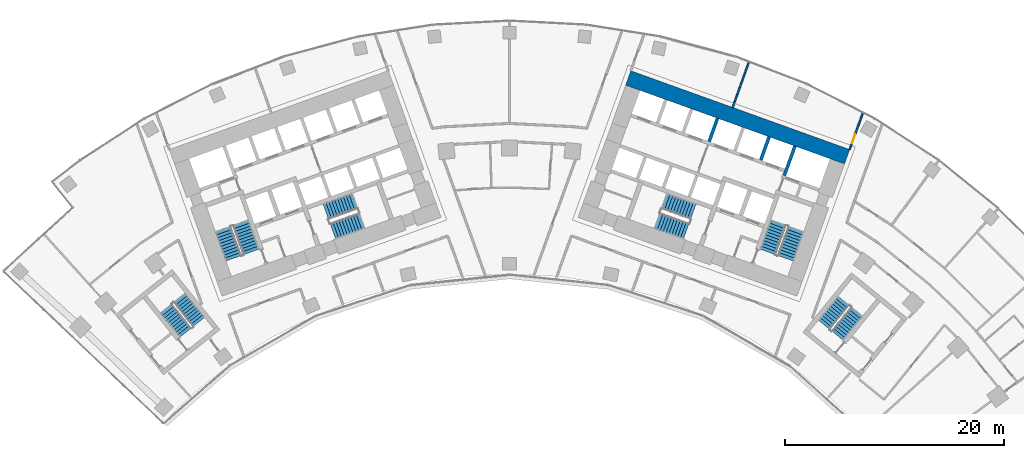
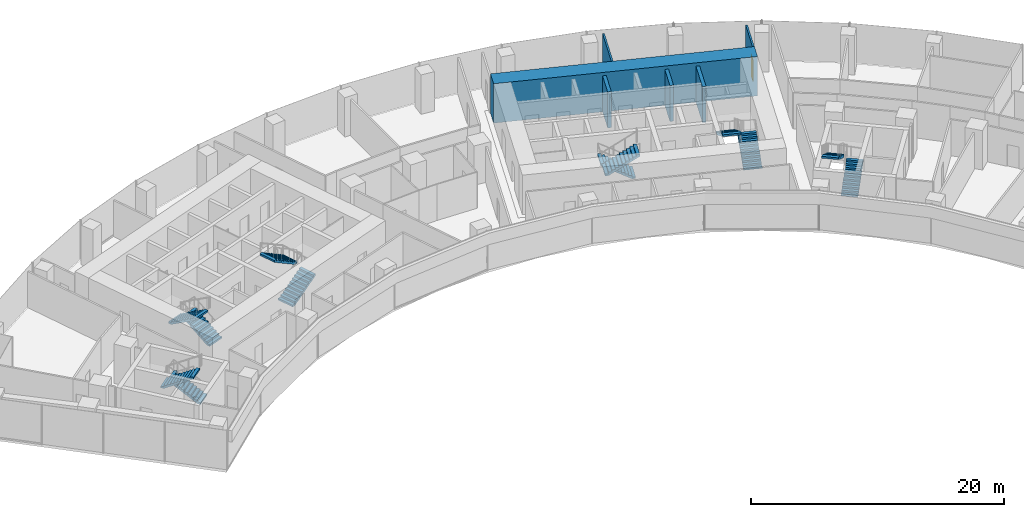
# One storey, part 17 of 19: 12 stair flights, 6 walls, 1 door, 1 opening, 6 elements without a shape of their own.
"""IFC4 building model written with IfcOpenShell, lengths in metres."""

from ifc_helpers import new_model, si_unit, direction, frame, frame_2d, origin, place, context, subcontext, project, spatial, polyline, rectangle, outline, extrude, material, layer, layer_set, type_object, element, fill, aggregate, save


model = new_model("IFC4")

# Units and contexts
model_context = context("Model", 3, precision=1e-05, world=origin(), true_north=direction((0.0, 1.0)))
body_context = subcontext(model_context, "Body", "Model", "MODEL_VIEW")
ifc_project = project(units=[si_unit("LENGTHUNIT", "METRE"), si_unit("AREAUNIT", "SQUARE_METRE"), si_unit("VOLUMEUNIT", "CUBIC_METRE"), si_unit("PLANEANGLEUNIT", "RADIAN"), si_unit("MASSUNIT", "GRAM", prefix="KILO")], contexts=[model_context])

# Site, building, storey
site_placement = place(None, origin())
site = spatial("IfcSite", under=ifc_project, at=site_placement, CompositionType="ELEMENT")
building_placement = place(site_placement, origin())
building = spatial("IfcBuilding", under=site, at=building_placement, Name="Stone Belt Terrace Tower", CompositionType="ELEMENT")
storey_placement = place(building_placement, frame((0.0, 0.0, 128.800048828125)))
storey = spatial("IfcBuildingStorey", under=building, at=storey_placement, Name="L31", CompositionType="ELEMENT", Elevation=128.800048828125)

# Walls
ifc_material_1 = material(Name="Concrete B80", Category="concrete")
ifc_layer_1 = layer(ifc_material_1, 1.39990234375)
ifc_layer_set_1 = layer_set([ifc_layer_1], Name="Core wall 1400 B80")
wall_type_1 = type_object("IfcWallType", Name="Core wall 1400 B80", PredefinedType="SHEAR", material=ifc_layer_set_1)
wall_1_placement = place(storey_placement, frame((10.81787109375, 61.362060546875, 0.0), z_axis=(0.0, 0.0, 1.0), x_axis=(0.940919704758, -0.338629752382, 0.0)))
element("IfcWall", 1, at=wall_1_placement, inside=storey, type_object=wall_type_1, Name="Core B wall convex L31", PredefinedType="SHEAR", context=body_context, shape_type="SweptSolid", body=[
    extrude(rectangle(XDim=21.199951171875, YDim=1.39990234375, at=frame_2d((10.60009765625, 0.0))), origin(), (0.0, 0.0, 1.0), 3.800048828125),
])
ifc_layer_2 = layer(ifc_material_1, 0.300048828125)
ifc_layer_set_2 = layer_set([ifc_layer_2], Name="Lift shaft wall 300")
wall_type_2 = type_object("IfcWallType", Name="Lift shaft wall 300", PredefinedType="SHEAR", material=ifc_layer_set_2)
wall_2_placement = place(storey_placement, frame((25.046875, 52.46826171875, 0.0), z_axis=(0.0, 0.0, 1.0), x_axis=(0.338549588058, 0.940948551423, 0.0)))
element("IfcWall", 2, at=wall_2_placement, inside=storey, type_object=wall_type_2, Name="Core B wall", PredefinedType="SHEAR", context=body_context, shape_type="SweptSolid", body=[
    extrude(rectangle(XDim=2.849853515625, YDim=0.300048828125, at=frame_2d((1.4248046875, 0.0))), origin(), (0.0, 0.0, 1.0), 3.47998046875),
])
for number, where, z_axis, x_axis, name in (
    (3, (22.897705078125, 53.87939453125, 0.0), (0.0, 0.0, 1.0), (0.338535034312, 0.940953787677, 0.0), "Core B wall"),
    (4, (18.193115234375, 55.572509765625, 0.0), (0.0, 0.0, 1.0), (0.338535034312, 0.940953787677, 0.0), "Core B wall"),
):
    element("IfcWall", number, at=place(storey_placement, frame(where, z_axis=z_axis, x_axis=x_axis)), inside=storey, type_object=wall_type_2, Name=name, PredefinedType="SHEAR", context=body_context, shape_type="SweptSolid", body=[
        extrude(rectangle(XDim=2.25, YDim=0.300048828125, at=frame_2d((1.125, 0.0))), origin(), (0.0, 0.0, 1.0), 3.47998046875),
    ])

# Wall, opening, door
ifc_material_2 = material(Name="Gypsum board partition")
ifc_layer_3 = layer(ifc_material_2, 0.14990234375)
ifc_layer_set_3 = layer_set([ifc_layer_3], Name="PARTITION 150 EI 60")
wall_type_3 = type_object("IfcWallType", Name="PARTITION 150 EI 60", PredefinedType="PARTITIONING", material=ifc_layer_set_3)
wall_3_placement = place(storey_placement, frame((31.001953125, 54.842041015625, 0.0), z_axis=(0.0, 0.0, 1.0), x_axis=(0.338662585219, 0.940907887826, 0.0)))
wall_3 = element("IfcWall", 5, at=wall_3_placement, inside=storey, type_object=wall_type_3, Name="L31/wall/i023", PredefinedType="PARTITIONING", context=body_context, shape_type="SweptSolid", body=[
    extrude(rectangle(XDim=3.49560546875, YDim=0.14990234375, at=frame_2d((1.747802734375, 0.0))), origin(), (0.0, 0.0, 1.0), 3.47998046875),
])
opening_placement = place(wall_3_placement, frame((0.599365234375, 0.0, 0.0)))
opening = element("IfcOpeningElement", 6, at=opening_placement, cuts=wall_3, Name="Opening D-B5-11", PredefinedType="OPENING", context=body_context, shape_type="SweptSolid", body=[
    extrude(rectangle(XDim=0.89990234375, YDim=2.10009765625, at=frame_2d((0.449951171875, 1.050048828125))), frame((0.0, 0.0849609375, 0.0), z_axis=(0.0, -1.0, 0.0), x_axis=(1.0, 0.0, 0.0)), (0.0, 0.0, 1.0), 0.169921875),
])
ifc_material_3 = material(Name="Timber door leaf", Category="wood")
door_type = type_object("IfcDoorType", Name="OFFICE DOOR 900 X 2100", OperationType="NOTDEFINED", PredefinedType="DOOR", material=ifc_material_3)
door_placement = place(opening_placement, origin())
door = element("IfcDoor", 7, at=door_placement, inside=storey, type_object=door_type, Name="L31/door/i11", OperationType="SINGLE_SWING_LEFT", OverallHeight=2.10009765625, OverallWidth=0.89990234375, PredefinedType="DOOR", context=body_context, shape_type="SweptSolid", body=[
    extrude(rectangle(XDim=0.89990234375, YDim=2.10009765625, at=frame_2d((0.449951171875, 1.050048828125))), frame((0.0, 0.02490234375, 0.0), z_axis=(0.0, -1.0, 0.0), x_axis=(1.0, 0.0, 0.0)), (0.0, 0.0, 1.0), 0.050048828125),
])
fill(opening, door)

# Wall
wall_4_placement = place(storey_placement, frame((21.80078125, 62.76513671875, 0.0), z_axis=(0.0, 0.0, 1.0), x_axis=(-0.338470422653, -0.940977031063, 0.0)))
element("IfcWall", 8, at=wall_4_placement, inside=storey, type_object=wall_type_3, Name="L31/wall/i035", PredefinedType="PARTITIONING", context=body_context, shape_type="SweptSolid", body=[
    extrude(rectangle(XDim=4.33935546875, YDim=0.14990234375, at=frame_2d((2.169677734375, 0.0))), origin(), (0.0, 0.0, 1.0), 3.47998046875),
])

# Stair, stair flights
ifc_material_4 = material(Name="Concrete B40", Category="concrete")
stair_type = type_object("IfcStairType", Name="Exit stair 1500", PredefinedType="HALF_TURN_STAIR", material=ifc_material_4)
stair_1_placement = place(storey_placement, origin())
stair_1 = element("IfcStair", 9, at=stair_1_placement, inside=storey, type_object=stair_type, Name="L31 Exit stair 1 core A", PredefinedType="HALF_TURN_STAIR")
stair_flight_type = type_object("IfcStairFlightType", Name="Stair flight 1500", PredefinedType="STRAIGHT", material=ifc_material_4)
stair_flight_1_placement = place(storey_placement, frame((-23.55322265625, 45.51318359375, 0.0), z_axis=(0.0, 0.0, 1.0), x_axis=(-0.338624396177, 0.940921632398, 0.0)))
stair_flight_1 = element("IfcStairFlight", 10, at=stair_flight_1_placement, type_object=stair_flight_type, Name="ST1A flight 1", NumberOfRisers=11, NumberOfTreads=10, PredefinedType="STRAIGHT", RiserHeight=0.172727273, TreadLength=0.28, context=body_context, shape_type="SweptSolid", body=[
    extrude(outline(polyline([(0.0, 0.0), (0.0, 0.172607421875), (0.280029296875, 0.172607421875), (0.280029296875, 0.345458984375), (0.56005859375, 0.345458984375), (0.56005859375, 0.51806640625), (0.840087890625, 0.51806640625), (0.840087890625, 0.69091796875), (1.1201171875, 0.69091796875), (1.1201171875, 0.863525390625), (1.39990234375, 0.863525390625), (1.39990234375, 1.036376953125), (1.679931640625, 1.036376953125), (1.679931640625, 1.208984375), (1.9599609375, 1.208984375), (1.9599609375, 1.3818359375), (2.239990234375, 1.3818359375), (2.239990234375, 1.554443359375), (2.52001953125, 1.554443359375), (2.52001953125, 1.727294921875), (2.800048828125, 1.727294921875), (2.800048828125, 1.89990234375), (2.800048828125, 1.551025390625), (0.285400390625, 0.0), (0.0, 0.0)])), frame((0.0, 0.75, 0.0), z_axis=(0.0, -1.0, 0.0), x_axis=(1.0, 0.0, 0.0)), (0.0, 0.0, 1.0), 1.5),
])
stair_flight_2_placement = place(storey_placement, frame((-26.10107421875, 47.572021484375, 1.89990234375), z_axis=(0.0, 0.0, 1.0), x_axis=(0.338624396177, -0.940921632398, 0.0)))
stair_flight_2 = element("IfcStairFlight", 11, at=stair_flight_2_placement, type_object=stair_flight_type, Name="ST1A flight 2", NumberOfRisers=11, NumberOfTreads=10, PredefinedType="STRAIGHT", RiserHeight=0.172727273, TreadLength=0.28, context=body_context, shape_type="SweptSolid", body=[
    extrude(outline(polyline([(0.0, 0.0), (0.0, 0.172607421875), (0.280029296875, 0.172607421875), (0.280029296875, 0.345458984375), (0.56005859375, 0.345458984375), (0.56005859375, 0.51806640625), (0.840087890625, 0.51806640625), (0.840087890625, 0.69091796875), (1.1201171875, 0.69091796875), (1.1201171875, 0.863525390625), (1.39990234375, 0.863525390625), (1.39990234375, 1.036376953125), (1.679931640625, 1.036376953125), (1.679931640625, 1.208984375), (1.9599609375, 1.208984375), (1.9599609375, 1.3818359375), (2.239990234375, 1.3818359375), (2.239990234375, 1.554443359375), (2.52001953125, 1.554443359375), (2.52001953125, 1.727294921875), (2.800048828125, 1.727294921875), (2.800048828125, 1.89990234375), (2.800048828125, 1.551025390625), (0.285400390625, 0.0), (0.0, 0.0)])), frame((0.0, 0.75, 0.0), z_axis=(0.0, -1.0, 0.0), x_axis=(1.0, 0.0, 0.0)), (0.0, 0.0, 1.0), 1.5),
])
aggregate(stair_1, [stair_flight_1, stair_flight_2])

stair_2_placement = place(storey_placement, origin())
stair_2 = element("IfcStair", 12, at=stair_2_placement, inside=storey, type_object=stair_type, Name="L31 Exit stair 2 core A", PredefinedType="HALF_TURN_STAIR")
stair_flight_3_placement = place(storey_placement, frame((-16.101318359375, 47.39794921875, 0.0), z_axis=(0.0, 0.0, 1.0), x_axis=(0.940921632398, 0.338624396177, 0.0)))
stair_flight_3 = element("IfcStairFlight", 13, at=stair_flight_3_placement, type_object=stair_flight_type, Name="ST2A flight 1", NumberOfRisers=11, NumberOfTreads=10, PredefinedType="STRAIGHT", RiserHeight=0.172727273, TreadLength=0.28, context=body_context, shape_type="SweptSolid", body=[
    extrude(outline(polyline([(0.0, 0.0), (0.0, 0.172607421875), (0.280029296875, 0.172607421875), (0.280029296875, 0.345458984375), (0.56005859375, 0.345458984375), (0.56005859375, 0.51806640625), (0.840087890625, 0.51806640625), (0.840087890625, 0.69091796875), (1.1201171875, 0.69091796875), (1.1201171875, 0.863525390625), (1.39990234375, 0.863525390625), (1.39990234375, 1.036376953125), (1.679931640625, 1.036376953125), (1.679931640625, 1.208984375), (1.9599609375, 1.208984375), (1.9599609375, 1.3818359375), (2.239990234375, 1.3818359375), (2.239990234375, 1.554443359375), (2.52001953125, 1.554443359375), (2.52001953125, 1.727294921875), (2.800048828125, 1.727294921875), (2.800048828125, 1.89990234375), (2.800048828125, 1.551025390625), (0.285400390625, 0.0), (0.0, 0.0)])), frame((0.0, 0.75, 0.0), z_axis=(0.0, -1.0, 0.0), x_axis=(1.0, 0.0, 0.0)), (0.0, 0.0, 1.0), 1.5),
])
stair_flight_4_placement = place(storey_placement, frame((-14.110107421875, 50.1337890625, 1.89990234375), z_axis=(0.0, 0.0, 1.0), x_axis=(-0.940921632398, -0.338624396177, 0.0)))
stair_flight_4 = element("IfcStairFlight", 14, at=stair_flight_4_placement, type_object=stair_flight_type, Name="ST2A flight 2", NumberOfRisers=11, NumberOfTreads=10, PredefinedType="STRAIGHT", RiserHeight=0.172727273, TreadLength=0.28, context=body_context, shape_type="SweptSolid", body=[
    extrude(outline(polyline([(0.0, 0.0), (0.0, 0.172607421875), (0.280029296875, 0.172607421875), (0.280029296875, 0.345458984375), (0.56005859375, 0.345458984375), (0.56005859375, 0.51806640625), (0.840087890625, 0.51806640625), (0.840087890625, 0.69091796875), (1.1201171875, 0.69091796875), (1.1201171875, 0.863525390625), (1.39990234375, 0.863525390625), (1.39990234375, 1.036376953125), (1.679931640625, 1.036376953125), (1.679931640625, 1.208984375), (1.9599609375, 1.208984375), (1.9599609375, 1.3818359375), (2.239990234375, 1.3818359375), (2.239990234375, 1.554443359375), (2.52001953125, 1.554443359375), (2.52001953125, 1.727294921875), (2.800048828125, 1.727294921875), (2.800048828125, 1.89990234375), (2.800048828125, 1.551025390625), (0.285400390625, 0.0), (0.0, 0.0)])), frame((0.0, 0.75, 0.0), z_axis=(0.0, -1.0, 0.0), x_axis=(1.0, 0.0, 0.0)), (0.0, 0.0, 1.0), 1.5),
])
aggregate(stair_2, [stair_flight_3, stair_flight_4])

stair_3_placement = place(storey_placement, origin())
stair_3 = element("IfcStair", 15, at=stair_3_placement, inside=storey, type_object=stair_type, Name="L31 Exit stair 1 core B", PredefinedType="HALF_TURN_STAIR")
stair_flight_5_placement = place(storey_placement, frame((25.15283203125, 44.9375, 0.0), z_axis=(0.0, 0.0, 1.0), x_axis=(0.338624396177, 0.940921632398, 0.0)))
stair_flight_5 = element("IfcStairFlight", 16, at=stair_flight_5_placement, type_object=stair_flight_type, Name="ST1B flight 1", NumberOfRisers=11, NumberOfTreads=10, PredefinedType="STRAIGHT", RiserHeight=0.172727273, TreadLength=0.28, context=body_context, shape_type="SweptSolid", body=[
    extrude(outline(polyline([(0.0, 0.0), (0.0, 0.172607421875), (0.280029296875, 0.172607421875), (0.280029296875, 0.345458984375), (0.56005859375, 0.345458984375), (0.56005859375, 0.51806640625), (0.840087890625, 0.51806640625), (0.840087890625, 0.69091796875), (1.1201171875, 0.69091796875), (1.1201171875, 0.863525390625), (1.39990234375, 0.863525390625), (1.39990234375, 1.036376953125), (1.679931640625, 1.036376953125), (1.679931640625, 1.208984375), (1.9599609375, 1.208984375), (1.9599609375, 1.3818359375), (2.239990234375, 1.3818359375), (2.239990234375, 1.554443359375), (2.52001953125, 1.554443359375), (2.52001953125, 1.727294921875), (2.800048828125, 1.727294921875), (2.800048828125, 1.89990234375), (2.800048828125, 1.551025390625), (0.285400390625, 0.0), (0.0, 0.0)])), frame((0.0, 0.75, 0.0), z_axis=(0.0, -1.0, 0.0), x_axis=(1.0, 0.0, 0.0)), (0.0, 0.0, 1.0), 1.5),
])
stair_flight_6_placement = place(storey_placement, frame((24.50146484375, 48.147705078125, 1.89990234375), z_axis=(0.0, 0.0, 1.0), x_axis=(-0.338624396177, -0.940921632398, 0.0)))
stair_flight_6 = element("IfcStairFlight", 17, at=stair_flight_6_placement, type_object=stair_flight_type, Name="ST1B flight 2", NumberOfRisers=11, NumberOfTreads=10, PredefinedType="STRAIGHT", RiserHeight=0.172727273, TreadLength=0.28, context=body_context, shape_type="SweptSolid", body=[
    extrude(outline(polyline([(0.0, 0.0), (0.0, 0.172607421875), (0.280029296875, 0.172607421875), (0.280029296875, 0.345458984375), (0.56005859375, 0.345458984375), (0.56005859375, 0.51806640625), (0.840087890625, 0.51806640625), (0.840087890625, 0.69091796875), (1.1201171875, 0.69091796875), (1.1201171875, 0.863525390625), (1.39990234375, 0.863525390625), (1.39990234375, 1.036376953125), (1.679931640625, 1.036376953125), (1.679931640625, 1.208984375), (1.9599609375, 1.208984375), (1.9599609375, 1.3818359375), (2.239990234375, 1.3818359375), (2.239990234375, 1.554443359375), (2.52001953125, 1.554443359375), (2.52001953125, 1.727294921875), (2.800048828125, 1.727294921875), (2.800048828125, 1.89990234375), (2.800048828125, 1.551025390625), (0.285400390625, 0.0), (0.0, 0.0)])), frame((0.0, 0.75, 0.0), z_axis=(0.0, -1.0, 0.0), x_axis=(1.0, 0.0, 0.0)), (0.0, 0.0, 1.0), 1.5),
])
aggregate(stair_3, [stair_flight_5, stair_flight_6])

stair_4_placement = place(storey_placement, origin())
stair_4 = element("IfcStair", 18, at=stair_4_placement, inside=storey, type_object=stair_type, Name="L31 Exit stair 2 core B", PredefinedType="HALF_TURN_STAIR")
stair_flight_7_placement = place(storey_placement, frame((16.74462890625, 49.185546875, 0.0), z_axis=(0.0, 0.0, 1.0), x_axis=(-0.940921632398, 0.338624396177, 0.0)))
stair_flight_7 = element("IfcStairFlight", 19, at=stair_flight_7_placement, type_object=stair_flight_type, Name="ST2B flight 1", NumberOfRisers=11, NumberOfTreads=10, PredefinedType="STRAIGHT", RiserHeight=0.172727273, TreadLength=0.28, context=body_context, shape_type="SweptSolid", body=[
    extrude(outline(polyline([(0.0, 0.0), (0.0, 0.172607421875), (0.280029296875, 0.172607421875), (0.280029296875, 0.345458984375), (0.56005859375, 0.345458984375), (0.56005859375, 0.51806640625), (0.840087890625, 0.51806640625), (0.840087890625, 0.69091796875), (1.1201171875, 0.69091796875), (1.1201171875, 0.863525390625), (1.39990234375, 0.863525390625), (1.39990234375, 1.036376953125), (1.679931640625, 1.036376953125), (1.679931640625, 1.208984375), (1.9599609375, 1.208984375), (1.9599609375, 1.3818359375), (2.239990234375, 1.3818359375), (2.239990234375, 1.554443359375), (2.52001953125, 1.554443359375), (2.52001953125, 1.727294921875), (2.800048828125, 1.727294921875), (2.800048828125, 1.89990234375), (2.800048828125, 1.551025390625), (0.285400390625, 0.0), (0.0, 0.0)])), frame((0.0, 0.75, 0.0), z_axis=(0.0, -1.0, 0.0), x_axis=(1.0, 0.0, 0.0)), (0.0, 0.0, 1.0), 1.5),
])
stair_flight_8_placement = place(storey_placement, frame((13.466796875, 48.345947265625, 1.89990234375), z_axis=(0.0, 0.0, 1.0), x_axis=(0.940921632398, -0.338624396177, 0.0)))
stair_flight_8 = element("IfcStairFlight", 20, at=stair_flight_8_placement, type_object=stair_flight_type, Name="ST2B flight 2", NumberOfRisers=11, NumberOfTreads=10, PredefinedType="STRAIGHT", RiserHeight=0.172727273, TreadLength=0.28, context=body_context, shape_type="SweptSolid", body=[
    extrude(outline(polyline([(0.0, 0.0), (0.0, 0.172607421875), (0.280029296875, 0.172607421875), (0.280029296875, 0.345458984375), (0.56005859375, 0.345458984375), (0.56005859375, 0.51806640625), (0.840087890625, 0.51806640625), (0.840087890625, 0.69091796875), (1.1201171875, 0.69091796875), (1.1201171875, 0.863525390625), (1.39990234375, 0.863525390625), (1.39990234375, 1.036376953125), (1.679931640625, 1.036376953125), (1.679931640625, 1.208984375), (1.9599609375, 1.208984375), (1.9599609375, 1.3818359375), (2.239990234375, 1.3818359375), (2.239990234375, 1.554443359375), (2.52001953125, 1.554443359375), (2.52001953125, 1.727294921875), (2.800048828125, 1.727294921875), (2.800048828125, 1.89990234375), (2.800048828125, 1.551025390625), (0.285400390625, 0.0), (0.0, 0.0)])), frame((0.0, 0.75, 0.0), z_axis=(0.0, -1.0, 0.0), x_axis=(1.0, 0.0, 0.0)), (0.0, 0.0, 1.0), 1.5),
])
aggregate(stair_4, [stair_flight_7, stair_flight_8])

stair_5_placement = place(storey_placement, origin())
stair_5 = element("IfcStair", 21, at=stair_5_placement, inside=storey, type_object=stair_type, Name="L31 Exit stair 3A", PredefinedType="HALF_TURN_STAIR")
stair_flight_9_placement = place(storey_placement, frame((-28.325439453125, 39.1240234375, 0.0), z_axis=(0.0, 0.0, 1.0), x_axis=(-0.623121363691, 0.782125160132, 0.0)))
stair_flight_9 = element("IfcStairFlight", 22, at=stair_flight_9_placement, type_object=stair_flight_type, Name="ST3A flight 1", NumberOfRisers=11, NumberOfTreads=10, PredefinedType="STRAIGHT", RiserHeight=0.172727273, TreadLength=0.28, context=body_context, shape_type="SweptSolid", body=[
    extrude(outline(polyline([(0.0, 0.0), (0.0, 0.172607421875), (0.280029296875, 0.172607421875), (0.280029296875, 0.345458984375), (0.56005859375, 0.345458984375), (0.56005859375, 0.51806640625), (0.840087890625, 0.51806640625), (0.840087890625, 0.69091796875), (1.1201171875, 0.69091796875), (1.1201171875, 0.863525390625), (1.39990234375, 0.863525390625), (1.39990234375, 1.036376953125), (1.679931640625, 1.036376953125), (1.679931640625, 1.208984375), (1.9599609375, 1.208984375), (1.9599609375, 1.3818359375), (2.239990234375, 1.3818359375), (2.239990234375, 1.554443359375), (2.52001953125, 1.554443359375), (2.52001953125, 1.727294921875), (2.800048828125, 1.727294921875), (2.800048828125, 1.89990234375), (2.800048828125, 1.551025390625), (0.285400390625, 0.0), (0.0, 0.0)])), frame((0.0, 0.675048828125, 0.0), z_axis=(0.0, -1.0, 0.0), x_axis=(1.0, 0.0, 0.0)), (0.0, 0.0, 1.0), 1.35009765625),
])
stair_flight_10_placement = place(storey_placement, frame((-31.282470703125, 40.34814453125, 1.89990234375), z_axis=(0.0, 0.0, 1.0), x_axis=(0.623121363691, -0.782125160132, 0.0)))
stair_flight_10 = element("IfcStairFlight", 23, at=stair_flight_10_placement, type_object=stair_flight_type, Name="ST3A flight 2", NumberOfRisers=11, NumberOfTreads=10, PredefinedType="STRAIGHT", RiserHeight=0.172727273, TreadLength=0.28, context=body_context, shape_type="SweptSolid", body=[
    extrude(outline(polyline([(0.0, 0.0), (0.0, 0.172607421875), (0.280029296875, 0.172607421875), (0.280029296875, 0.345458984375), (0.56005859375, 0.345458984375), (0.56005859375, 0.51806640625), (0.840087890625, 0.51806640625), (0.840087890625, 0.69091796875), (1.1201171875, 0.69091796875), (1.1201171875, 0.863525390625), (1.39990234375, 0.863525390625), (1.39990234375, 1.036376953125), (1.679931640625, 1.036376953125), (1.679931640625, 1.208984375), (1.9599609375, 1.208984375), (1.9599609375, 1.3818359375), (2.239990234375, 1.3818359375), (2.239990234375, 1.554443359375), (2.52001953125, 1.554443359375), (2.52001953125, 1.727294921875), (2.800048828125, 1.727294921875), (2.800048828125, 1.89990234375), (2.800048828125, 1.551025390625), (0.285400390625, 0.0), (0.0, 0.0)])), frame((0.0, 0.675048828125, 0.0), z_axis=(0.0, -1.0, 0.0), x_axis=(1.0, 0.0, 0.0)), (0.0, 0.0, 1.0), 1.35009765625),
])
aggregate(stair_5, [stair_flight_9, stair_flight_10])

stair_6_placement = place(storey_placement, origin())
stair_6 = element("IfcStair", 24, at=stair_6_placement, inside=storey, type_object=stair_type, Name="L31 Exit stair 3B", PredefinedType="HALF_TURN_STAIR")
stair_flight_11_placement = place(storey_placement, frame((29.88330078125, 37.887939453125, 0.0), z_axis=(0.0, 0.0, 1.0), x_axis=(0.630205749599, 0.776428176441, 0.0)))
stair_flight_11 = element("IfcStairFlight", 25, at=stair_flight_11_placement, type_object=stair_flight_type, Name="ST3B flight 1", NumberOfRisers=11, NumberOfTreads=10, PredefinedType="STRAIGHT", RiserHeight=0.172727273, TreadLength=0.28, context=body_context, shape_type="SweptSolid", body=[
    extrude(outline(polyline([(0.0, 0.0), (0.0, 0.172607421875), (0.280029296875, 0.172607421875), (0.280029296875, 0.345458984375), (0.56005859375, 0.345458984375), (0.56005859375, 0.51806640625), (0.840087890625, 0.51806640625), (0.840087890625, 0.69091796875), (1.1201171875, 0.69091796875), (1.1201171875, 0.863525390625), (1.39990234375, 0.863525390625), (1.39990234375, 1.036376953125), (1.679931640625, 1.036376953125), (1.679931640625, 1.208984375), (1.9599609375, 1.208984375), (1.9599609375, 1.3818359375), (2.239990234375, 1.3818359375), (2.239990234375, 1.554443359375), (2.52001953125, 1.554443359375), (2.52001953125, 1.727294921875), (2.800048828125, 1.727294921875), (2.800048828125, 1.89990234375), (2.800048828125, 1.551025390625), (0.285400390625, 0.0), (0.0, 0.0)])), frame((0.0, 0.675048828125, 0.0), z_axis=(0.0, -1.0, 0.0), x_axis=(1.0, 0.0, 0.0)), (0.0, 0.0, 1.0), 1.35009765625),
])
stair_flight_12_placement = place(storey_placement, frame((30.4443359375, 41.038818359375, 1.89990234375), z_axis=(0.0, 0.0, 1.0), x_axis=(-0.630205749599, -0.776428176441, 0.0)))
stair_flight_12 = element("IfcStairFlight", 26, at=stair_flight_12_placement, type_object=stair_flight_type, Name="ST3B flight 2", NumberOfRisers=11, NumberOfTreads=10, PredefinedType="STRAIGHT", RiserHeight=0.172727273, TreadLength=0.28, context=body_context, shape_type="SweptSolid", body=[
    extrude(outline(polyline([(0.0, 0.0), (0.0, 0.172607421875), (0.280029296875, 0.172607421875), (0.280029296875, 0.345458984375), (0.56005859375, 0.345458984375), (0.56005859375, 0.51806640625), (0.840087890625, 0.51806640625), (0.840087890625, 0.69091796875), (1.1201171875, 0.69091796875), (1.1201171875, 0.863525390625), (1.39990234375, 0.863525390625), (1.39990234375, 1.036376953125), (1.679931640625, 1.036376953125), (1.679931640625, 1.208984375), (1.9599609375, 1.208984375), (1.9599609375, 1.3818359375), (2.239990234375, 1.3818359375), (2.239990234375, 1.554443359375), (2.52001953125, 1.554443359375), (2.52001953125, 1.727294921875), (2.800048828125, 1.727294921875), (2.800048828125, 1.89990234375), (2.800048828125, 1.551025390625), (0.285400390625, 0.0), (0.0, 0.0)])), frame((0.0, 0.675048828125, 0.0), z_axis=(0.0, -1.0, 0.0), x_axis=(1.0, 0.0, 0.0)), (0.0, 0.0, 1.0), 1.35009765625),
])
aggregate(stair_6, [stair_flight_11, stair_flight_12])

save(model, "model.ifc")
